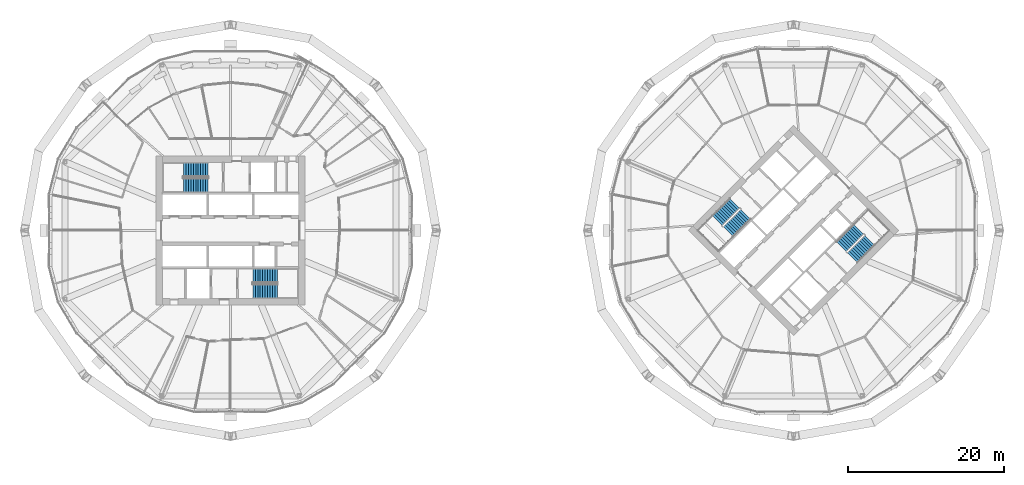
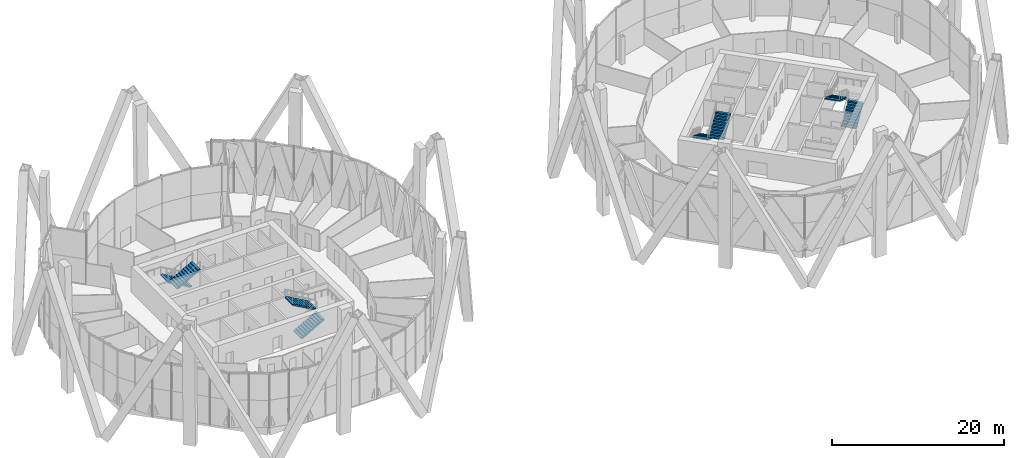
# One storey, part 27 of 31: 8 stair flights, 4 elements without a shape of their own.
"""IFC4 building model written with IfcOpenShell, lengths in metres."""

from ifc_helpers import new_model, si_unit, direction, frame, origin, place, context, subcontext, project, spatial, polyline, outline, extrude, material, type_object, element, aggregate, save


model = new_model("IFC4")

# Units and contexts
model_context = context("Model", 3, precision=1e-05, world=origin(), true_north=direction((0.0, 1.0)))
body_context = subcontext(model_context, "Body", "Model", "MODEL_VIEW")
ifc_project = project(units=[si_unit("LENGTHUNIT", "METRE"), si_unit("AREAUNIT", "SQUARE_METRE"), si_unit("VOLUMEUNIT", "CUBIC_METRE"), si_unit("PLANEANGLEUNIT", "RADIAN"), si_unit("MASSUNIT", "GRAM", prefix="KILO")], contexts=[model_context])

# Site, building, storey
site_placement = place(None, origin())
site = spatial("IfcSite", under=ifc_project, at=site_placement, CompositionType="ELEMENT")
building_placement = place(site_placement, origin())
building = spatial("IfcBuilding", under=site, at=building_placement, Name="Ogive Gate Towers", CompositionType="ELEMENT")
storey_placement = place(building_placement, frame((0.0, 0.0, 55.800048828125)))
storey = spatial("IfcBuildingStorey", under=building, at=storey_placement, Name="L12", CompositionType="ELEMENT", Elevation=55.800048828125)

# Stair, stair flights
ifc_material = material(Name="Concrete C40/50", Category="concrete")
stair_type = type_object("IfcStairType", Name="Escape stair 1840 wide", PredefinedType="HALF_TURN_STAIR", material=ifc_material)
stair_1_placement = place(storey_placement, origin())
stair_1 = element("IfcStair", 1, at=stair_1_placement, inside=storey, type_object=stair_type, Name="L12 Escape stair 1", PredefinedType="HALF_TURN_STAIR")
stair_flight_type = type_object("IfcStairFlightType", Name="Stair flight 1840 wide", PredefinedType="STRAIGHT", material=ifc_material)
stair_flight_1_placement = place(storey_placement, frame((-38.864990234375, 7.780029296875, 0.0), z_axis=(0.0, 0.0, 1.0), x_axis=(-1.0, 0.0, 0.0)))
stair_flight_1 = element("IfcStairFlight", 2, at=stair_flight_1_placement, type_object=stair_flight_type, Name="ST1 flight 1", NumberOfRisers=11, NumberOfTreads=10, PredefinedType="STRAIGHT", RiserHeight=0.177272727, TreadLength=0.313636364, context=body_context, shape_type="SweptSolid", body=[
    extrude(outline(polyline([(0.0, 0.0), (0.0, 0.17724609375), (0.313720703125, 0.17724609375), (0.313720703125, 0.3544921875), (0.627197265625, 0.3544921875), (0.627197265625, 0.53173828125), (0.94091796875, 0.53173828125), (0.94091796875, 0.708984375), (1.254638671875, 0.708984375), (1.254638671875, 0.886474609375), (1.568115234375, 0.886474609375), (1.568115234375, 1.063720703125), (1.8818359375, 1.063720703125), (1.8818359375, 1.240966796875), (2.195556640625, 1.240966796875), (2.195556640625, 1.418212890625), (2.509033203125, 1.418212890625), (2.509033203125, 1.595458984375), (2.82275390625, 1.595458984375), (2.82275390625, 1.772705078125), (3.136474609375, 1.772705078125), (3.136474609375, 1.949951171875), (3.136474609375, 1.6005859375), (0.3046875, 0.0), (0.0, 0.0)])), frame((0.0, 0.919921875, 0.0), z_axis=(0.0, -1.0, 0.0), x_axis=(1.0, 0.0, 0.0)), (0.0, 0.0, 1.0), 1.840087890625),
])
stair_flight_2_placement = place(storey_placement, frame((-42.00146484375, 5.794921875, 1.949951171875), z_axis=(0.0, 0.0, 1.0), x_axis=(1.0, 0.0, 0.0)))
stair_flight_2 = element("IfcStairFlight", 3, at=stair_flight_2_placement, type_object=stair_flight_type, Name="ST1 flight 2", NumberOfRisers=11, NumberOfTreads=10, PredefinedType="STRAIGHT", RiserHeight=0.177272727, TreadLength=0.313636364, context=body_context, shape_type="SweptSolid", body=[
    extrude(outline(polyline([(0.0, 0.0), (0.0, 0.17724609375), (0.313720703125, 0.17724609375), (0.313720703125, 0.3544921875), (0.627197265625, 0.3544921875), (0.627197265625, 0.53173828125), (0.94091796875, 0.53173828125), (0.94091796875, 0.708984375), (1.254638671875, 0.708984375), (1.254638671875, 0.886474609375), (1.568115234375, 0.886474609375), (1.568115234375, 1.063720703125), (1.8818359375, 1.063720703125), (1.8818359375, 1.240966796875), (2.195556640625, 1.240966796875), (2.195556640625, 1.418212890625), (2.509033203125, 1.418212890625), (2.509033203125, 1.595458984375), (2.82275390625, 1.595458984375), (2.82275390625, 1.772705078125), (3.136474609375, 1.772705078125), (3.136474609375, 1.949951171875), (3.136474609375, 1.6005859375), (0.3046875, 0.0), (0.0, 0.0)])), frame((0.0, 0.919921875, 0.0), z_axis=(0.0, -1.0, 0.0), x_axis=(1.0, 0.0, 0.0)), (0.0, 0.0, 1.0), 1.840087890625),
])
aggregate(stair_1, [stair_flight_1, stair_flight_2])

stair_2_placement = place(storey_placement, origin())
stair_2 = element("IfcStair", 4, at=stair_2_placement, inside=storey, type_object=stair_type, Name="L12 Escape stair 2", PredefinedType="HALF_TURN_STAIR")
stair_flight_3_placement = place(storey_placement, frame((-33.135009765625, -7.780029296875, 0.0), z_axis=(0.0, 0.0, 1.0), x_axis=(1.0, 0.0, 0.0)))
stair_flight_3 = element("IfcStairFlight", 5, at=stair_flight_3_placement, type_object=stair_flight_type, Name="ST2 flight 1", NumberOfRisers=11, NumberOfTreads=10, PredefinedType="STRAIGHT", RiserHeight=0.177272727, TreadLength=0.313636364, context=body_context, shape_type="SweptSolid", body=[
    extrude(outline(polyline([(0.0, 0.0), (0.0, 0.17724609375), (0.313720703125, 0.17724609375), (0.313720703125, 0.3544921875), (0.627197265625, 0.3544921875), (0.627197265625, 0.53173828125), (0.94091796875, 0.53173828125), (0.94091796875, 0.708984375), (1.254638671875, 0.708984375), (1.254638671875, 0.886474609375), (1.568115234375, 0.886474609375), (1.568115234375, 1.063720703125), (1.8818359375, 1.063720703125), (1.8818359375, 1.240966796875), (2.195556640625, 1.240966796875), (2.195556640625, 1.418212890625), (2.509033203125, 1.418212890625), (2.509033203125, 1.595458984375), (2.82275390625, 1.595458984375), (2.82275390625, 1.772705078125), (3.136474609375, 1.772705078125), (3.136474609375, 1.949951171875), (3.136474609375, 1.6005859375), (0.3046875, 0.0), (0.0, 0.0)])), frame((0.0, 0.919921875, 0.0), z_axis=(0.0, -1.0, 0.0), x_axis=(1.0, 0.0, 0.0)), (0.0, 0.0, 1.0), 1.840087890625),
])
stair_flight_4_placement = place(storey_placement, frame((-29.99853515625, -5.794921875, 1.949951171875), z_axis=(0.0, 0.0, 1.0), x_axis=(-1.0, 0.0, 0.0)))
stair_flight_4 = element("IfcStairFlight", 6, at=stair_flight_4_placement, type_object=stair_flight_type, Name="ST2 flight 2", NumberOfRisers=11, NumberOfTreads=10, PredefinedType="STRAIGHT", RiserHeight=0.177272727, TreadLength=0.313636364, context=body_context, shape_type="SweptSolid", body=[
    extrude(outline(polyline([(0.0, 0.0), (0.0, 0.17724609375), (0.313720703125, 0.17724609375), (0.313720703125, 0.3544921875), (0.627197265625, 0.3544921875), (0.627197265625, 0.53173828125), (0.94091796875, 0.53173828125), (0.94091796875, 0.708984375), (1.254638671875, 0.708984375), (1.254638671875, 0.886474609375), (1.568115234375, 0.886474609375), (1.568115234375, 1.063720703125), (1.8818359375, 1.063720703125), (1.8818359375, 1.240966796875), (2.195556640625, 1.240966796875), (2.195556640625, 1.418212890625), (2.509033203125, 1.418212890625), (2.509033203125, 1.595458984375), (2.82275390625, 1.595458984375), (2.82275390625, 1.772705078125), (3.136474609375, 1.772705078125), (3.136474609375, 1.949951171875), (3.136474609375, 1.6005859375), (0.3046875, 0.0), (0.0, 0.0)])), frame((0.0, 0.919921875, 0.0), z_axis=(0.0, -1.0, 0.0), x_axis=(1.0, 0.0, 0.0)), (0.0, 0.0, 1.0), 1.840087890625),
])
aggregate(stair_2, [stair_flight_3, stair_flight_4])

stair_3_placement = place(storey_placement, origin())
stair_3 = element("IfcStair", 7, at=stair_3_placement, inside=storey, type_object=stair_type, Name="L12 Escape stair 1", PredefinedType="HALF_TURN_STAIR")
stair_flight_5_placement = place(storey_placement, frame((28.472900390625, 3.475341796875, 0.0), z_axis=(0.0, 0.0, 1.0), x_axis=(-0.707106781187, -0.707106781187, 0.0)))
stair_flight_5 = element("IfcStairFlight", 8, at=stair_flight_5_placement, type_object=stair_flight_type, Name="ST1 flight 1", NumberOfRisers=11, NumberOfTreads=10, PredefinedType="STRAIGHT", RiserHeight=0.177272727, TreadLength=0.313636364, context=body_context, shape_type="SweptSolid", body=[
    extrude(outline(polyline([(0.0, 0.0), (0.0, 0.17724609375), (0.313720703125, 0.17724609375), (0.313720703125, 0.3544921875), (0.627197265625, 0.3544921875), (0.627197265625, 0.53173828125), (0.94091796875, 0.53173828125), (0.94091796875, 0.708984375), (1.254638671875, 0.708984375), (1.254638671875, 0.886474609375), (1.568115234375, 0.886474609375), (1.568115234375, 1.063720703125), (1.8818359375, 1.063720703125), (1.8818359375, 1.240966796875), (2.195556640625, 1.240966796875), (2.195556640625, 1.418212890625), (2.509033203125, 1.418212890625), (2.509033203125, 1.595458984375), (2.82275390625, 1.595458984375), (2.82275390625, 1.772705078125), (3.136474609375, 1.772705078125), (3.136474609375, 1.949951171875), (3.136474609375, 1.6005859375), (0.3046875, 0.0), (0.0, 0.0)])), frame((0.0, 0.919921875, 0.0), z_axis=(0.0, -1.0, 0.0), x_axis=(1.0, 0.0, 0.0)), (0.0, 0.0, 1.0), 1.840087890625),
])
stair_flight_6_placement = place(storey_placement, frame((27.65869140625, -0.14599609375, 1.949951171875), z_axis=(0.0, 0.0, 1.0), x_axis=(0.707106781187, 0.707106781187, 0.0)))
stair_flight_6 = element("IfcStairFlight", 9, at=stair_flight_6_placement, type_object=stair_flight_type, Name="ST1 flight 2", NumberOfRisers=11, NumberOfTreads=10, PredefinedType="STRAIGHT", RiserHeight=0.177272727, TreadLength=0.313636364, context=body_context, shape_type="SweptSolid", body=[
    extrude(outline(polyline([(0.0, 0.0), (0.0, 0.17724609375), (0.313720703125, 0.17724609375), (0.313720703125, 0.3544921875), (0.627197265625, 0.3544921875), (0.627197265625, 0.53173828125), (0.94091796875, 0.53173828125), (0.94091796875, 0.708984375), (1.254638671875, 0.708984375), (1.254638671875, 0.886474609375), (1.568115234375, 0.886474609375), (1.568115234375, 1.063720703125), (1.8818359375, 1.063720703125), (1.8818359375, 1.240966796875), (2.195556640625, 1.240966796875), (2.195556640625, 1.418212890625), (2.509033203125, 1.418212890625), (2.509033203125, 1.595458984375), (2.82275390625, 1.595458984375), (2.82275390625, 1.772705078125), (3.136474609375, 1.772705078125), (3.136474609375, 1.949951171875), (3.136474609375, 1.6005859375), (0.3046875, 0.0), (0.0, 0.0)])), frame((0.0, 0.919921875, 0.0), z_axis=(0.0, -1.0, 0.0), x_axis=(1.0, 0.0, 0.0)), (0.0, 0.0, 1.0), 1.840087890625),
])
aggregate(stair_3, [stair_flight_5, stair_flight_6])

stair_4_placement = place(storey_placement, origin())
stair_4 = element("IfcStair", 10, at=stair_4_placement, inside=storey, type_object=stair_type, Name="L12 Escape stair 2", PredefinedType="HALF_TURN_STAIR")
stair_flight_7_placement = place(storey_placement, frame((43.527099609375, -3.475341796875, 0.0), z_axis=(0.0, 0.0, 1.0), x_axis=(0.707106781187, 0.707106781187, 0.0)))
stair_flight_7 = element("IfcStairFlight", 11, at=stair_flight_7_placement, type_object=stair_flight_type, Name="ST2 flight 1", NumberOfRisers=11, NumberOfTreads=10, PredefinedType="STRAIGHT", RiserHeight=0.177272727, TreadLength=0.313636364, context=body_context, shape_type="SweptSolid", body=[
    extrude(outline(polyline([(0.0, 0.0), (0.0, 0.17724609375), (0.313720703125, 0.17724609375), (0.313720703125, 0.3544921875), (0.627197265625, 0.3544921875), (0.627197265625, 0.53173828125), (0.94091796875, 0.53173828125), (0.94091796875, 0.708984375), (1.254638671875, 0.708984375), (1.254638671875, 0.886474609375), (1.568115234375, 0.886474609375), (1.568115234375, 1.063720703125), (1.8818359375, 1.063720703125), (1.8818359375, 1.240966796875), (2.195556640625, 1.240966796875), (2.195556640625, 1.418212890625), (2.509033203125, 1.418212890625), (2.509033203125, 1.595458984375), (2.82275390625, 1.595458984375), (2.82275390625, 1.772705078125), (3.136474609375, 1.772705078125), (3.136474609375, 1.949951171875), (3.136474609375, 1.6005859375), (0.3046875, 0.0), (0.0, 0.0)])), frame((0.0, 0.919921875, 0.0), z_axis=(0.0, -1.0, 0.0), x_axis=(1.0, 0.0, 0.0)), (0.0, 0.0, 1.0), 1.840087890625),
])
stair_flight_8_placement = place(storey_placement, frame((44.34130859375, 0.14599609375, 1.949951171875), z_axis=(0.0, 0.0, 1.0), x_axis=(-0.707106781187, -0.707106781187, 0.0)))
stair_flight_8 = element("IfcStairFlight", 12, at=stair_flight_8_placement, type_object=stair_flight_type, Name="ST2 flight 2", NumberOfRisers=11, NumberOfTreads=10, PredefinedType="STRAIGHT", RiserHeight=0.177272727, TreadLength=0.313636364, context=body_context, shape_type="SweptSolid", body=[
    extrude(outline(polyline([(0.0, 0.0), (0.0, 0.17724609375), (0.313720703125, 0.17724609375), (0.313720703125, 0.3544921875), (0.627197265625, 0.3544921875), (0.627197265625, 0.53173828125), (0.94091796875, 0.53173828125), (0.94091796875, 0.708984375), (1.254638671875, 0.708984375), (1.254638671875, 0.886474609375), (1.568115234375, 0.886474609375), (1.568115234375, 1.063720703125), (1.8818359375, 1.063720703125), (1.8818359375, 1.240966796875), (2.195556640625, 1.240966796875), (2.195556640625, 1.418212890625), (2.509033203125, 1.418212890625), (2.509033203125, 1.595458984375), (2.82275390625, 1.595458984375), (2.82275390625, 1.772705078125), (3.136474609375, 1.772705078125), (3.136474609375, 1.949951171875), (3.136474609375, 1.6005859375), (0.3046875, 0.0), (0.0, 0.0)])), frame((0.0, 0.919921875, 0.0), z_axis=(0.0, -1.0, 0.0), x_axis=(1.0, 0.0, 0.0)), (0.0, 0.0, 1.0), 1.840087890625),
])
aggregate(stair_4, [stair_flight_7, stair_flight_8])

save(model, "model.ifc")
